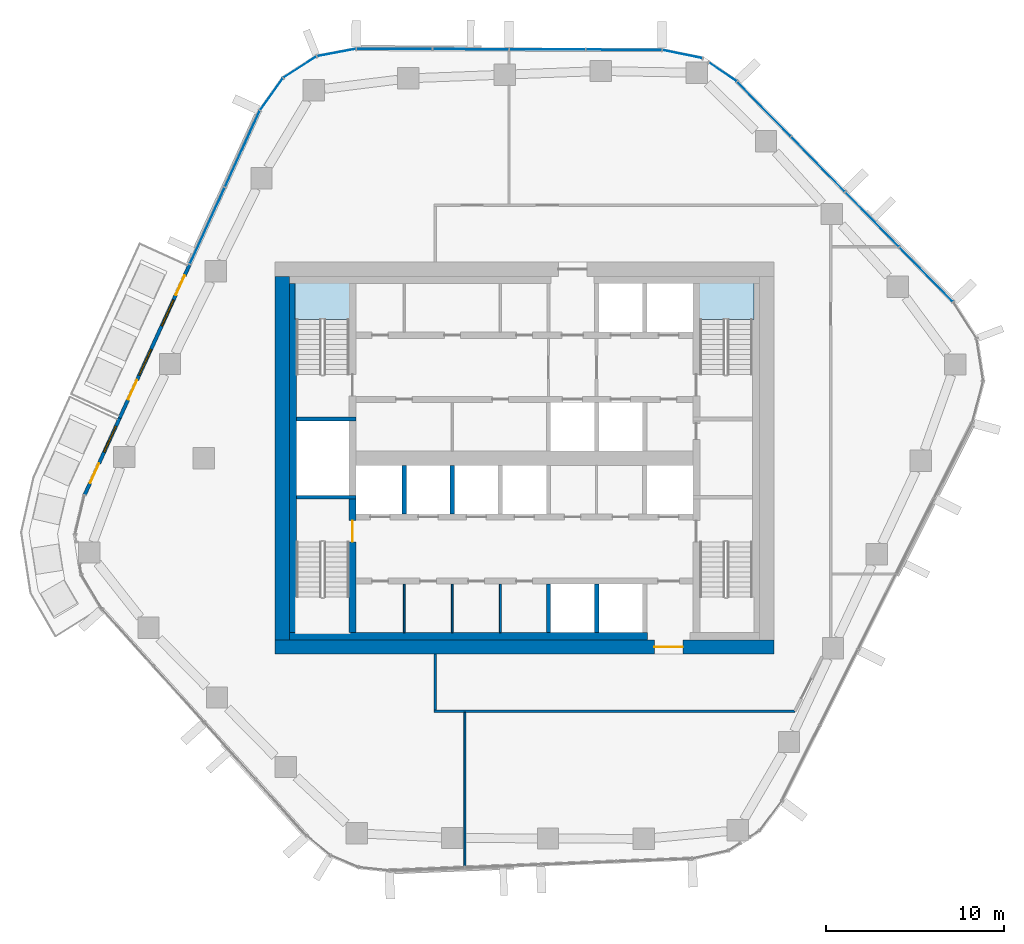
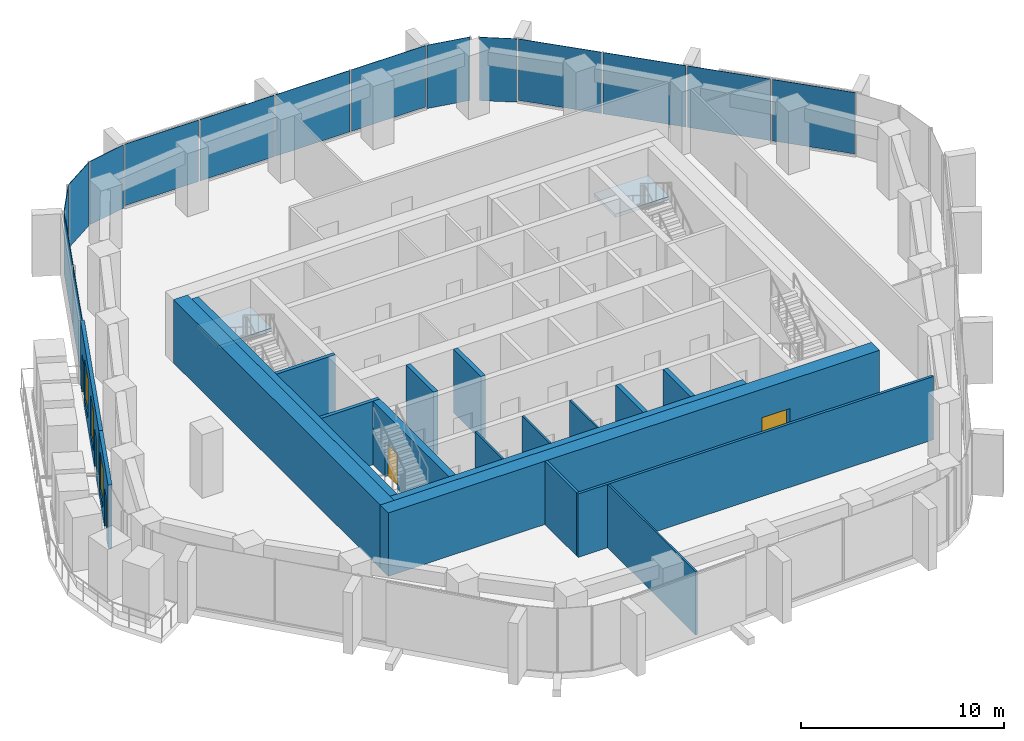
# One storey, part 11 of 18: 19 walls, 15 plates, 5 doors, 3 windows, 2 slabs, 8 openings, 8 elements without a shape of their own.
"""IFC4 building model written with IfcOpenShell, lengths in metres."""

from ifc_helpers import new_model, si_unit, direction, frame, frame_2d, origin, origin_2d, place, context, subcontext, project, spatial, polyline, rectangle, outline, extrude, material, layer, layer_set, type_object, element, fill, aggregate, save


model = new_model("IFC4")

# Units and contexts
model_context = context("Model", 3, precision=1e-05, world=origin(), true_north=direction((0.0, 1.0)))
body_context = subcontext(model_context, "Body", "Model", "MODEL_VIEW")
ifc_project = project(units=[si_unit("LENGTHUNIT", "METRE"), si_unit("AREAUNIT", "SQUARE_METRE"), si_unit("VOLUMEUNIT", "CUBIC_METRE"), si_unit("PLANEANGLEUNIT", "RADIAN"), si_unit("MASSUNIT", "GRAM", prefix="KILO")], contexts=[model_context])

# Site, building, storey
site_placement = place(None, origin())
site = spatial("IfcSite", under=ifc_project, at=site_placement, CompositionType="ELEMENT")
building_placement = place(site_placement, origin())
building = spatial("IfcBuilding", under=site, at=building_placement, Name="Dongbaek Canopy Tower", CompositionType="ELEMENT")
storey_placement = place(building_placement, frame((0.0, 0.0, 203.0)))
storey = spatial("IfcBuildingStorey", under=building, at=storey_placement, Name="L42", CompositionType="ELEMENT", Elevation=203.0)

# Curtain wall, plates
ifc_material_1 = material(Name="Aluminium 6063-T6 pale anodised", Category="aluminium")
ifc_layer_1 = layer(ifc_material_1, 0.199951171875)
ifc_layer_set_1 = layer_set([ifc_layer_1], Name="CW-1 unitised tower curtain wall")
curtain_wall_type = type_object("IfcCurtainWallType", Name="CW-1 unitised tower curtain wall", PredefinedType="NOTDEFINED", material=ifc_layer_set_1)
curtain_wall_1_placement = place(storey_placement, origin())
curtain_wall_1 = element("IfcCurtainWall", 1, at=curtain_wall_1_placement, inside=storey, type_object=curtain_wall_type, Name="CW-1 curtain wall F0.1", PredefinedType="NOTDEFINED")
ifc_material_2 = material(Name="Clear laminated glass", Category="glass")
ifc_layer_2 = layer(ifc_material_2, 0.028076171875)
ifc_layer_set_2 = layer_set([ifc_layer_2], Name="CW-1 glazed panel 28")
plate_type = type_object("IfcPlateType", Name="CW-1 glazed panel 28", PredefinedType="CURTAIN_PANEL", material=ifc_layer_set_2)
plate_1_placement = place(storey_placement, frame((22.554931640625, 10.31787109375, 0.1201171875), z_axis=(0.0, 0.0, 1.0), x_axis=(-0.700367537709, 0.713782398301, 0.0)))
plate_1 = element("IfcPlate", 2, at=plate_1_placement, type_object=plate_type, Name="CW-1 panel F0.1.1.1", PredefinedType="CURTAIN_PANEL", context=body_context, shape_type="SweptSolid", body=[
    extrude(rectangle(XDim=4.24267578125, YDim=0.028076171875, at=origin_2d()), origin(), (0.0, 0.0, 1.0), 3.699951171875),
])
plate_2_placement = place(storey_placement, frame((19.52099609375, 13.409912109375, 0.1201171875), z_axis=(0.0, 0.0, 1.0), x_axis=(-0.700367537709, 0.713782398301, 0.0)))
plate_2 = element("IfcPlate", 3, at=plate_2_placement, type_object=plate_type, Name="CW-1 panel F0.1.2.1", PredefinedType="CURTAIN_PANEL", context=body_context, shape_type="SweptSolid", body=[
    extrude(rectangle(XDim=4.2529296875, YDim=0.028076171875, at=origin_2d()), origin(), (0.0, 0.0, 1.0), 3.699951171875),
])
plate_3_placement = place(storey_placement, frame((16.4833984375, 16.505615234375, 0.1201171875), z_axis=(0.0, 0.0, 1.0), x_axis=(-0.700367537709, 0.713782398301, 0.0)))
plate_3 = element("IfcPlate", 4, at=plate_3_placement, type_object=plate_type, Name="CW-1 panel F0.1.3.1", PredefinedType="CURTAIN_PANEL", context=body_context, shape_type="SweptSolid", body=[
    extrude(rectangle(XDim=4.2529296875, YDim=0.028076171875, at=origin_2d()), origin(), (0.0, 0.0, 1.0), 3.699951171875),
])
plate_4_placement = place(storey_placement, frame((13.449462890625, 19.59765625, 0.1201171875), z_axis=(0.0, 0.0, 1.0), x_axis=(-0.700367537709, 0.713782398301, 0.0)))
plate_4 = element("IfcPlate", 5, at=plate_4_placement, type_object=plate_type, Name="CW-1 panel F0.1.4.1", PredefinedType="CURTAIN_PANEL", context=body_context, shape_type="SweptSolid", body=[
    extrude(rectangle(XDim=4.2431640625, YDim=0.028076171875, at=origin_2d()), origin(), (0.0, 0.0, 1.0), 3.699951171875),
])
aggregate(curtain_wall_1, [plate_1, plate_2, plate_3, plate_4])

# Curtain wall, plate
curtain_wall_2_placement = place(storey_placement, origin())
curtain_wall_2 = element("IfcCurtainWall", 6, at=curtain_wall_2_placement, inside=storey, type_object=curtain_wall_type, Name="CW-1 curtain wall K1.1a", PredefinedType="NOTDEFINED")
plate_5_placement = place(storey_placement, frame((11.13671875, 21.68408203125, 0.0), z_axis=(0.0, 0.0, 1.0), x_axis=(-0.826979783957, 0.562231657706, 0.0)))
plate_5 = element("IfcPlate", 7, at=plate_5_placement, type_object=plate_type, Name="CW-1 panel K1.1a.1.1", PredefinedType="CURTAIN_PANEL", context=body_context, shape_type="SweptSolid", body=[
    extrude(rectangle(XDim=1.8447265625, YDim=0.028076171875, at=origin_2d()), origin(), (0.0, 0.0, 1.0), 3.820068359375),
])
aggregate(curtain_wall_2, [plate_5])

curtain_wall_3_placement = place(storey_placement, origin())
curtain_wall_3 = element("IfcCurtainWall", 8, at=curtain_wall_3_placement, inside=storey, type_object=curtain_wall_type, Name="CW-1 curtain wall K1.1b", PredefinedType="NOTDEFINED")
plate_6_placement = place(storey_placement, frame((8.8681640625, 22.683837890625, 0.0), z_axis=(0.0, 0.0, 1.0), x_axis=(-0.979771954396, 0.200117259075, 0.0)))
plate_6 = element("IfcPlate", 9, at=plate_6_placement, type_object=plate_type, Name="CW-1 panel K1.1b.1.1", PredefinedType="CURTAIN_PANEL", context=body_context, shape_type="SweptSolid", body=[
    extrude(rectangle(XDim=2.244140625, YDim=0.028076171875, at=origin_2d()), origin(), (0.0, 0.0, 1.0), 3.820068359375),
])
aggregate(curtain_wall_3, [plate_6])

# Curtain wall, plates
curtain_wall_4_placement = place(storey_placement, origin())
curtain_wall_4 = element("IfcCurtainWall", 10, at=curtain_wall_4_placement, inside=storey, type_object=curtain_wall_type, Name="CW-1 curtain wall F1.1", PredefinedType="NOTDEFINED")
plate_7_placement = place(storey_placement, frame((5.5830078125, 22.9248046875, 0.1201171875), z_axis=(0.0, 0.0, 1.0), x_axis=(-0.999993245538, 0.003675442583, 0.0)))
plate_7 = element("IfcPlate", 11, at=plate_7_placement, type_object=plate_type, Name="CW-1 panel F1.1.1.1", PredefinedType="CURTAIN_PANEL", context=body_context, shape_type="SweptSolid", body=[
    extrude(rectangle(XDim=4.205322265625, YDim=0.028076171875, at=origin_2d()), origin(), (0.0, 0.0, 1.0), 3.699951171875),
])
plate_8_placement = place(storey_placement, frame((1.288818359375, 22.940673828125, 0.1201171875), z_axis=(0.0, 0.0, 1.0), x_axis=(-0.999993245538, 0.003675442583, 0.0)))
plate_8 = element("IfcPlate", 12, at=plate_8_placement, type_object=plate_type, Name="CW-1 panel F1.1.2.1", PredefinedType="CURTAIN_PANEL", context=body_context, shape_type="SweptSolid", body=[
    extrude(rectangle(XDim=4.21533203125, YDim=0.028076171875, at=origin_2d()), origin(), (0.0, 0.0, 1.0), 3.699951171875),
])
plate_9_placement = place(storey_placement, frame((-3.010498046875, 22.956298828125, 0.1201171875), z_axis=(0.0, 0.0, 1.0), x_axis=(-0.999993245538, 0.003675442583, 0.0)))
plate_9 = element("IfcPlate", 13, at=plate_9_placement, type_object=plate_type, Name="CW-1 panel F1.1.3.1", PredefinedType="CURTAIN_PANEL", context=body_context, shape_type="SweptSolid", body=[
    extrude(rectangle(XDim=4.21533203125, YDim=0.028076171875, at=origin_2d()), origin(), (0.0, 0.0, 1.0), 3.699951171875),
])
plate_10_placement = place(storey_placement, frame((-7.304931640625, 22.97216796875, 0.1201171875), z_axis=(0.0, 0.0, 1.0), x_axis=(-0.999993245538, 0.003675442583, 0.0)))
plate_10 = element("IfcPlate", 14, at=plate_10_placement, type_object=plate_type, Name="CW-1 panel F1.1.4.1", PredefinedType="CURTAIN_PANEL", context=body_context, shape_type="SweptSolid", body=[
    extrude(rectangle(XDim=4.20556640625, YDim=0.028076171875, at=origin_2d()), origin(), (0.0, 0.0, 1.0), 3.699951171875),
])
aggregate(curtain_wall_4, [plate_7, plate_8, plate_9, plate_10])

curtain_wall_5_placement = place(storey_placement, origin())
curtain_wall_5 = element("IfcCurtainWall", 15, at=curtain_wall_5_placement, inside=storey, type_object=curtain_wall_type, Name="CW-1 curtain wall K2.1", PredefinedType="NOTDEFINED")
plate_11_placement = place(storey_placement, frame((-10.555419921875, 22.770263671875, 0.0), z_axis=(0.0, 0.0, 1.0), x_axis=(-0.982481231355, -0.186361557287, 0.0)))
plate_11 = element("IfcPlate", 16, at=plate_11_placement, type_object=plate_type, Name="CW-1 panel K2.1.1.1", PredefinedType="CURTAIN_PANEL", context=body_context, shape_type="SweptSolid", body=[
    extrude(rectangle(XDim=2.166748046875, YDim=0.028076171875, at=origin_2d()), origin(), (0.0, 0.0, 1.0), 3.820068359375),
])
plate_12_placement = place(storey_placement, frame((-12.6044921875, 21.956298828125, 0.0), z_axis=(0.0, 0.0, 1.0), x_axis=(-0.842050178225, -0.539399200363, 0.0)))
plate_12 = element("IfcPlate", 17, at=plate_12_placement, type_object=plate_type, Name="CW-1 panel K2.1.2.1", PredefinedType="CURTAIN_PANEL", context=body_context, shape_type="SweptSolid", body=[
    extrude(rectangle(XDim=2.156982421875, YDim=0.028076171875, at=origin_2d()), origin(), (0.0, 0.0, 1.0), 3.820068359375),
])
plate_13_placement = place(storey_placement, frame((-14.20068359375, 20.43505859375, 0.0), z_axis=(0.0, 0.0, 1.0), x_axis=(-0.580063743798, -0.814571085376, 0.0)))
plate_13 = element("IfcPlate", 18, at=plate_13_placement, type_object=plate_type, Name="CW-1 panel K2.1.3.1", PredefinedType="CURTAIN_PANEL", context=body_context, shape_type="SweptSolid", body=[
    extrude(rectangle(XDim=2.166748046875, YDim=0.028076171875, at=origin_2d()), origin(), (0.0, 0.0, 1.0), 3.820068359375),
])
aggregate(curtain_wall_5, [plate_11, plate_12, plate_13])

curtain_wall_6_placement = place(storey_placement, origin())
curtain_wall_6 = element("IfcCurtainWall", 19, at=curtain_wall_6_placement, inside=storey, type_object=curtain_wall_type, Name="CW-1 curtain wall F2.1", PredefinedType="NOTDEFINED")
plate_14_placement = place(storey_placement, frame((-15.8359375, 17.36279296875, 0.1201171875), z_axis=(0.0, 0.0, 1.0), x_axis=(-0.414755400449, -0.909932941374, 0.0)))
plate_14 = element("IfcPlate", 20, at=plate_14_placement, type_object=plate_type, Name="CW-1 panel F2.1.1.1", PredefinedType="CURTAIN_PANEL", context=body_context, shape_type="SweptSolid", body=[
    extrude(rectangle(XDim=4.654052734375, YDim=0.028076171875, at=origin_2d()), origin(), (0.0, 0.0, 1.0), 3.699951171875),
])
plate_15_placement = place(storey_placement, frame((-17.80322265625, 13.04736328125, 0.1201171875), z_axis=(0.0, 0.0, 1.0), x_axis=(-0.414755400449, -0.909932941374, 0.0)))
plate_15 = element("IfcPlate", 21, at=plate_15_placement, type_object=plate_type, Name="CW-1 panel F2.1.2.1", PredefinedType="CURTAIN_PANEL", context=body_context, shape_type="SweptSolid", body=[
    extrude(rectangle(XDim=4.66357421875, YDim=0.028076171875, at=origin_2d()), origin(), (0.0, 0.0, 1.0), 3.699951171875),
])
aggregate(curtain_wall_6, [plate_14, plate_15])

# Stair, slab
ifc_material_3 = material(Name="Concrete C40/50", Category="concrete")
stair_type = type_object("IfcStairType", Name="Core exit stair", PredefinedType="HALF_TURN_STAIR", material=ifc_material_3)
stair_1_placement = place(storey_placement, origin())
stair_1 = element("IfcStair", 22, at=stair_1_placement, inside=storey, type_object=stair_type, Name="L42 exit stair A", PredefinedType="HALF_TURN_STAIR")
ifc_material_4 = material(Name="Concrete C40/50", Category="concrete")
ifc_layer_3 = layer(ifc_material_4, 0.199951171875)
ifc_layer_set_3 = layer_set([ifc_layer_3], Name="Core stair landing 200")
slab_type = type_object("IfcSlabType", Name="Core stair landing 200", PredefinedType="LANDING", material=ifc_layer_set_3)
slab_1_placement = place(storey_placement, frame((0.0, 0.0, 1.89990234375)))
slab_1 = element("IfcSlab", 23, at=slab_1_placement, type_object=slab_type, Name="ST-A landing 1", PredefinedType="LANDING", context=body_context, shape_type="SweptSolid", body=[
    extrude(outline(polyline([(12.875, 7.780029296875), (12.875, 9.875), (9.77490234375, 9.875), (9.77490234375, 7.780029296875), (12.875, 7.780029296875)])), origin(), (0.0, 0.0, 1.0), 0.2001953125),
])
aggregate(stair_1, [slab_1])

stair_2_placement = place(storey_placement, origin())
stair_2 = element("IfcStair", 24, at=stair_2_placement, inside=storey, type_object=stair_type, Name="L42 exit stair C", PredefinedType="HALF_TURN_STAIR")
slab_2_placement = place(storey_placement, frame((0.0, 0.0, 1.89990234375)))
slab_2 = element("IfcSlab", 25, at=slab_2_placement, type_object=slab_type, Name="ST-C landing 1", PredefinedType="LANDING", context=body_context, shape_type="SweptSolid", body=[
    extrude(outline(polyline([(-9.77490234375, 7.780029296875), (-9.77490234375, 9.875), (-12.875, 9.875), (-12.875, 7.780029296875), (-9.77490234375, 7.780029296875)])), origin(), (0.0, 0.0, 1.0), 0.2001953125),
])
aggregate(stair_2, [slab_2])

# Wall, opening, door
ifc_material_5 = material(Name="Concrete C70/85", Category="concrete")
ifc_layer_4 = layer(ifc_material_5, 0.800048828125)
ifc_layer_set_4 = layer_set([ifc_layer_4], Name="Core outer wall 800 Concrete C70/85")
wall_type_1 = type_object("IfcWallType", Name="Core outer wall 800 Concrete C70/85", PredefinedType="SHEAR", material=ifc_layer_set_4)
wall_1_placement = place(storey_placement, frame((14.0, -10.60009765625, 0.0), z_axis=(0.0, 0.0, 1.0), x_axis=(-1.0, 0.0, 0.0)))
wall_1 = element("IfcWall", 26, at=wall_1_placement, inside=storey, type_object=wall_type_1, Name="Core wall", PredefinedType="SHEAR", context=body_context, shape_type="SweptSolid", body=[
    extrude(rectangle(XDim=28.0, YDim=0.800048828125, at=frame_2d((14.0, 0.0))), origin(), (0.0, 0.0, 1.0), 3.820068359375),
])
opening_1_placement = place(wall_1_placement, frame((5.10009765625, 0.0, 0.0)))
opening_1 = element("IfcOpeningElement", 27, at=opening_1_placement, cuts=wall_1, Name="Opening L42-D018", PredefinedType="OPENING", context=body_context, shape_type="SweptSolid", body=[
    extrude(rectangle(XDim=1.60009765625, YDim=2.10009765625, at=frame_2d((0.800048828125, 1.050048828125))), frame((0.0, 0.409912109375, 0.0), z_axis=(0.0, -1.0, 0.0), x_axis=(1.0, 0.0, 0.0)), (0.0, 0.0, 1.0), 0.820068359375),
])
ifc_material_6 = material(Name="Steel", Category="steel")
door_type_1 = type_object("IfcDoorType", Name="Core exit door 1600 x 2100", OperationType="DOUBLE_DOOR_SINGLE_SWING", PredefinedType="DOOR", material=ifc_material_6)
door_1_placement = place(opening_1_placement, origin())
door_1 = element("IfcDoor", 28, at=door_1_placement, inside=storey, type_object=door_type_1, Name="Core exit door", OperationType="DOUBLE_DOOR_SINGLE_SWING", OverallHeight=2.10009765625, OverallWidth=1.60009765625, PredefinedType="DOOR", context=body_context, shape_type="SweptSolid", body=[
    extrude(rectangle(XDim=1.60009765625, YDim=2.10009765625, at=frame_2d((0.800048828125, 1.050048828125))), frame((0.0, 0.02490234375, 0.0), z_axis=(0.0, -1.0, 0.0), x_axis=(1.0, 0.0, 0.0)), (0.0, 0.0, 1.0), 0.050048828125),
])
fill(opening_1, door_1)

# Walls
wall_2_placement = place(storey_placement, frame((-13.60009765625, -10.199951171875, 0.0), z_axis=(0.0, 0.0, 1.0), x_axis=(0.0, 1.0, 0.0)))
element("IfcWall", 29, at=wall_2_placement, inside=storey, type_object=wall_type_1, Name="Core wall", PredefinedType="SHEAR", context=body_context, shape_type="SweptSolid", body=[
    extrude(rectangle(XDim=20.39990234375, YDim=0.800048828125, at=frame_2d((10.199951171875, 0.0))), origin(), (0.0, 0.0, 1.0), 3.820068359375),
])
ifc_material_7 = material(Name="Concrete C60/75", Category="concrete")
ifc_layer_5 = layer(ifc_material_7, 0.39990234375)
ifc_layer_set_5 = layer_set([ifc_layer_5], Name="Core wall lining 400 Concrete C60/75")
wall_type_2 = type_object("IfcWallType", Name="Core wall lining 400 Concrete C60/75", PredefinedType="SHEAR", material=ifc_layer_set_5)
wall_3_placement = place(storey_placement, frame((6.89990234375, -10.0, 0.0), z_axis=(0.0, 0.0, 1.0), x_axis=(-1.0, 0.0, 0.0)))
element("IfcWall", 30, at=wall_3_placement, inside=storey, type_object=wall_type_2, Name="Core wall lining", PredefinedType="SHEAR", context=body_context, shape_type="SweptSolid", body=[
    extrude(rectangle(XDim=20.099853515625, YDim=0.39990234375, at=frame_2d((10.0498046875, 0.0))), origin(), (0.0, 0.0, 1.0), 3.820068359375),
])
wall_4_placement = place(storey_placement, frame((-13.0, -9.800048828125, 0.0), z_axis=(0.0, 0.0, 1.0), x_axis=(0.0, 1.0, 0.0)))
element("IfcWall", 31, at=wall_4_placement, inside=storey, type_object=wall_type_2, Name="Core wall lining", PredefinedType="SHEAR", context=body_context, shape_type="SweptSolid", body=[
    extrude(rectangle(XDim=19.60009765625, YDim=0.39990234375, at=frame_2d((9.800048828125, 0.0))), origin(), (0.0, 0.0, 1.0), 3.820068359375),
])
ifc_material_8 = material(Name="Gypsum board partition, steel stud, 2 x 15 mm fire board", Category="steel")
ifc_layer_6 = layer(ifc_material_8, 0.14990234375)
ifc_layer_set_6 = layer_set([ifc_layer_6], Name="Fire-rated partition 150 gypsum board")
wall_type_3 = type_object("IfcWallType", Name="Fire-rated partition 150 gypsum board", PredefinedType="PARTITIONING", material=ifc_layer_set_6)
wall_5_placement = place(storey_placement, frame((-5.074951171875, -14.199951171875, 0.0), z_axis=(0.0, 0.0, 1.0), x_axis=(1.0, 0.0, 0.0)))
element("IfcWall", 32, at=wall_5_placement, inside=storey, type_object=wall_type_3, Name="Corridor partition", PredefinedType="PARTITIONING", context=body_context, shape_type="SweptSolid", body=[
    extrude(rectangle(XDim=20.2548828125, YDim=0.14990234375, at=frame_2d((10.12744140625, 0.0))), origin(), (0.0, 0.0, 1.0), 3.820068359375),
])
wall_6_placement = place(storey_placement, frame((-5.0, -14.125, 0.0), z_axis=(0.0, 0.0, 1.0), x_axis=(0.0, 1.0, 0.0)))
element("IfcWall", 33, at=wall_6_placement, inside=storey, type_object=wall_type_3, Name="Corridor partition", PredefinedType="PARTITIONING", context=body_context, shape_type="SweptSolid", body=[
    extrude(rectangle(XDim=3.125, YDim=0.14990234375, at=frame_2d((1.5625, 0.0))), origin(), (0.0, 0.0, 1.0), 3.820068359375),
])
ifc_material_9 = material(Name="Concrete C40/50", Category="concrete")
ifc_layer_7 = layer(ifc_material_9, 0.25)
ifc_layer_set_7 = layer_set([ifc_layer_7], Name="Lift shaft wall 250 Concrete C40/50")
wall_type_4 = type_object("IfcWallType", Name="Lift shaft wall 250 Concrete C40/50", PredefinedType="SOLIDWALL", material=ifc_layer_set_7)
for number, where, z_axis, x_axis, name in (
    (34, (4.050048828125, -9.800048828125, 0.0), (0.0, 0.0, 1.0), (0.0, 1.0, 0.0), "Lift shaft wall"),
    (35, (1.35009765625, -9.800048828125, 0.0), (0.0, 0.0, 1.0), (0.0, 1.0, 0.0), "Lift shaft wall"),
    (36, (-4.050048828125, -3.125, 0.0), (0.0, 0.0, 1.0), (0.0, 1.0, 0.0), "Lift shaft wall"),
    (37, (-6.75, -3.125, 0.0), (0.0, 0.0, 1.0), (0.0, 1.0, 0.0), "Lift shaft wall"),
):
    element("IfcWall", number, at=place(storey_placement, frame(where, z_axis=z_axis, x_axis=x_axis)), inside=storey, type_object=wall_type_4, Name=name, PredefinedType="SOLIDWALL", context=body_context, shape_type="SweptSolid", body=[
        extrude(rectangle(XDim=2.72509765625, YDim=0.25, at=frame_2d((1.362548828125, 0.0))), origin(), (0.0, 0.0, 1.0), 3.820068359375),
    ])
ifc_material_10 = material(Name="Gypsum board partition, steel stud, 2 x 12.5 mm board", Category="steel")
ifc_layer_8 = layer(ifc_material_10, 0.10009765625)
ifc_layer_set_8 = layer_set([ifc_layer_8], Name="Partition 100 gypsum board")
wall_type_5 = type_object("IfcWallType", Name="Partition 100 gypsum board", PredefinedType="PARTITIONING", material=ifc_layer_set_8)
wall_7_placement = place(storey_placement, frame((-3.343994140625, -22.963623046875, 0.0), z_axis=(0.0, 0.0, 1.0), x_axis=(0.0, 1.0, 0.0)))
element("IfcWall", 38, at=wall_7_placement, inside=storey, type_object=wall_type_5, Name="Partition", PredefinedType="PARTITIONING", context=body_context, shape_type="SweptSolid", body=[
    extrude(rectangle(XDim=8.688720703125, YDim=0.10009765625, at=frame_2d((4.34423828125, 0.0))), origin(), (0.0, 0.0, 1.0), 3.820068359375),
])
for number, where, z_axis, x_axis, name in (
    (39, (-1.35009765625, -9.800048828125, 0.0), (0.0, 0.0, 1.0), (0.0, 1.0, 0.0), "Core partition"),
    (40, (-4.050048828125, -9.800048828125, 0.0), (0.0, 0.0, 1.0), (0.0, 1.0, 0.0), "Core partition"),
    (41, (-6.75, -9.800048828125, 0.0), (0.0, 0.0, 1.0), (0.0, 1.0, 0.0), "Core partition"),
):
    element("IfcWall", number, at=place(storey_placement, frame(where, z_axis=z_axis, x_axis=x_axis)), inside=storey, type_object=wall_type_5, Name=name, PredefinedType="PARTITIONING", context=body_context, shape_type="SweptSolid", body=[
        extrude(rectangle(XDim=2.72509765625, YDim=0.10009765625, at=frame_2d((1.362548828125, 0.0))), origin(), (0.0, 0.0, 1.0), 3.820068359375),
    ])
ifc_material_11 = material(Name="Concrete C60/75", Category="concrete")
ifc_layer_9 = layer(ifc_material_11, 0.199951171875)
ifc_layer_set_9 = layer_set([ifc_layer_9], Name="Riser wall 200 Concrete C60/75")
wall_type_6 = type_object("IfcWallType", Name="Riser wall 200 Concrete C60/75", PredefinedType="SHEAR", material=ifc_layer_set_9)
for number, where, z_axis, x_axis, name in (
    (42, (-9.449951171875, 2.199951171875, 0.0), (0.0, 0.0, 1.0), (-1.0, 0.0, 0.0), "Riser wall"),
    (43, (-9.449951171875, -2.199951171875, 0.0), (0.0, 0.0, 1.0), (-1.0, 0.0, 0.0), "Riser wall"),
):
    element("IfcWall", number, at=place(storey_placement, frame(where, z_axis=z_axis, x_axis=x_axis)), inside=storey, type_object=wall_type_6, Name=name, PredefinedType="SHEAR", context=body_context, shape_type="SweptSolid", body=[
        extrude(rectangle(XDim=3.35009765625, YDim=0.199951171875, at=frame_2d((1.675048828125, 0.0))), origin(), (0.0, 0.0, 1.0), 3.820068359375),
    ])

# Wall, opening, door
ifc_material_12 = material(Name="Concrete C60/75", Category="concrete")
ifc_layer_10 = layer(ifc_material_12, 0.39990234375)
ifc_layer_set_10 = layer_set([ifc_layer_10], Name="Stair wall 400 Concrete C60/75")
wall_type_7 = type_object("IfcWallType", Name="Stair wall 400 Concrete C60/75", PredefinedType="SHEAR", material=ifc_layer_set_10)
wall_8_placement = place(storey_placement, frame((-9.64990234375, -9.800048828125, 0.0), z_axis=(0.0, 0.0, 1.0), x_axis=(0.0, 1.0, 0.0)))
wall_8 = element("IfcWall", 44, at=wall_8_placement, inside=storey, type_object=wall_type_7, Name="Stair wall", PredefinedType="SHEAR", context=body_context, shape_type="SweptSolid", body=[
    extrude(rectangle(XDim=7.5, YDim=0.39990234375, at=frame_2d((3.75, 0.0))), origin(), (0.0, 0.0, 1.0), 3.820068359375),
])
opening_2_placement = place(wall_8_placement, frame((5.10009765625, 0.0, 0.0)))
opening_2 = element("IfcOpeningElement", 45, at=opening_2_placement, cuts=wall_8, Name="Opening L42-D034", PredefinedType="OPENING", context=body_context, shape_type="SweptSolid", body=[
    extrude(rectangle(XDim=1.199951171875, YDim=2.10009765625, at=frame_2d((0.60009765625, 1.050048828125))), frame((0.0, 0.2099609375, 0.0), z_axis=(0.0, -1.0, 0.0), x_axis=(1.0, 0.0, 0.0)), (0.0, 0.0, 1.0), 0.419921875),
])
ifc_material_13 = material(Name="Steel", Category="steel")
door_type_2 = type_object("IfcDoorType", Name="Stair door 1200 x 2100", OperationType="SINGLE_SWING_LEFT", PredefinedType="DOOR", material=ifc_material_13)
door_2_placement = place(opening_2_placement, origin())
door_2 = element("IfcDoor", 46, at=door_2_placement, inside=storey, type_object=door_type_2, Name="Stair D door", OperationType="SINGLE_SWING_LEFT", OverallHeight=2.10009765625, OverallWidth=1.199951171875, PredefinedType="DOOR", context=body_context, shape_type="SweptSolid", body=[
    extrude(rectangle(XDim=1.199951171875, YDim=2.10009765625, at=frame_2d((0.60009765625, 1.050048828125))), frame((0.0, 0.02490234375, 0.0), z_axis=(0.0, -1.0, 0.0), x_axis=(1.0, 0.0, 0.0)), (0.0, 0.0, 1.0), 0.050048828125),
])
fill(opening_2, door_2)

# Wall, openings, doors, windows
ifc_material_14 = material(Name="Aluminium window wall", Category="aluminium")
ifc_layer_11 = layer(ifc_material_14, 0.199951171875)
ifc_layer_set_11 = layer_set([ifc_layer_11], Name="Window wall 200")
wall_type_8 = type_object("IfcWallType", Name="Window wall 200", PredefinedType="SOLIDWALL", material=ifc_layer_set_11)
wall_9_placement = place(storey_placement, frame((-18.78759765625, 10.88720703125, 0.0), z_axis=(0.0, 0.0, 1.0), x_axis=(-0.414763575381, -0.909929215124, 0.0)))
wall_9 = element("IfcWall", 47, at=wall_9_placement, inside=storey, type_object=wall_type_8, Name="Window wall L42 1", PredefinedType="SOLIDWALL", context=body_context, shape_type="SweptSolid", body=[
    extrude(rectangle(XDim=9.4951171875, YDim=0.199951171875, at=frame_2d((4.74755859375, 0.0))), origin(), (0.0, 0.0, 1.0), 3.820068359375),
])
opening_3_placement = place(wall_9_placement, frame((2.199951171875, 0.0, 0.60009765625)))
opening_3 = element("IfcOpeningElement", 48, at=opening_3_placement, cuts=wall_9, Name="Opening W1", PredefinedType="OPENING", context=body_context, shape_type="SweptSolid", body=[
    extrude(rectangle(XDim=1.60009765625, YDim=2.39990234375, at=frame_2d((0.800048828125, 1.199951171875))), frame((0.0, 0.10986328125, 0.0), z_axis=(0.0, -1.0, 0.0), x_axis=(1.0, 0.0, 0.0)), (0.0, 0.0, 1.0), 0.219970703125),
])
opening_4_placement = place(wall_9_placement, frame((0.699951171875, 0.0, 0.0)))
opening_4 = element("IfcOpeningElement", 49, at=opening_4_placement, cuts=wall_9, Name="Opening L42-B01", PredefinedType="OPENING", context=body_context, shape_type="SweptSolid", body=[
    extrude(rectangle(XDim=1.199951171875, YDim=2.39990234375, at=frame_2d((0.60009765625, 1.199951171875))), frame((0.0, 0.10986328125, 0.0), z_axis=(0.0, -1.0, 0.0), x_axis=(1.0, 0.0, 0.0)), (0.0, 0.0, 1.0), 0.219970703125),
])
opening_5_placement = place(wall_9_placement, frame((5.24755859375, 0.0, 0.60009765625)))
opening_5 = element("IfcOpeningElement", 50, at=opening_5_placement, cuts=wall_9, Name="Opening W1", PredefinedType="OPENING", context=body_context, shape_type="SweptSolid", body=[
    extrude(rectangle(XDim=1.60009765625, YDim=2.39990234375, at=frame_2d((0.800048828125, 1.199951171875))), frame((0.0, 0.10986328125, 0.0), z_axis=(0.0, -1.0, 0.0), x_axis=(1.0, 0.0, 0.0)), (0.0, 0.0, 1.0), 0.219970703125),
])
opening_6_placement = place(wall_9_placement, frame((7.1474609375, 0.0, 0.0)))
opening_6 = element("IfcOpeningElement", 51, at=opening_6_placement, cuts=wall_9, Name="Opening L42-B02", PredefinedType="OPENING", context=body_context, shape_type="SweptSolid", body=[
    extrude(rectangle(XDim=1.199951171875, YDim=2.39990234375, at=frame_2d((0.60009765625, 1.199951171875))), frame((0.0, 0.10986328125, 0.0), z_axis=(0.0, -1.0, 0.0), x_axis=(1.0, 0.0, 0.0)), (0.0, 0.0, 1.0), 0.219970703125),
])
ifc_material_15 = material(Name="Clear glazing in aluminium frame", Category="aluminium")
door_type_3 = type_object("IfcDoorType", Name="Balcony door BD1 1200 x 2400", OperationType="SLIDING_TO_LEFT", PredefinedType="DOOR", material=ifc_material_15)
door_3_placement = place(opening_4_placement, origin())
door_3 = element("IfcDoor", 52, at=door_3_placement, inside=storey, type_object=door_type_3, Name="Balcony door L42-B01", OperationType="SLIDING_TO_LEFT", OverallHeight=2.39990234375, OverallWidth=1.199951171875, PredefinedType="DOOR", context=body_context, shape_type="SweptSolid", body=[
    extrude(rectangle(XDim=1.199951171875, YDim=2.39990234375, at=frame_2d((0.60009765625, 1.199951171875))), frame((0.0, 0.02490234375, 0.0), z_axis=(0.0, -1.0, 0.0), x_axis=(1.0, 0.0, 0.0)), (0.0, 0.0, 1.0), 0.050048828125),
])
fill(opening_4, door_3)
door_4_placement = place(opening_6_placement, origin())
door_4 = element("IfcDoor", 53, at=door_4_placement, inside=storey, type_object=door_type_3, Name="Balcony door L42-B02", OperationType="SLIDING_TO_LEFT", OverallHeight=2.39990234375, OverallWidth=1.199951171875, PredefinedType="DOOR", context=body_context, shape_type="SweptSolid", body=[
    extrude(rectangle(XDim=1.199951171875, YDim=2.39990234375, at=frame_2d((0.60009765625, 1.199951171875))), frame((0.0, 0.02490234375, 0.0), z_axis=(0.0, -1.0, 0.0), x_axis=(1.0, 0.0, 0.0)), (0.0, 0.0, 1.0), 0.050048828125),
])
fill(opening_6, door_4)
ifc_material_16 = material(Name="Clear glazing in aluminium frame", Category="aluminium")
window_type = type_object("IfcWindowType", Name="Window W1 1600 x 2400", PartitioningType="SINGLE_PANEL", PredefinedType="WINDOW", material=ifc_material_16)
window_1_placement = place(opening_3_placement, origin())
window_1 = element("IfcWindow", 54, at=window_1_placement, inside=storey, type_object=window_type, Name="Window L42 1.1", OverallHeight=2.39990234375, OverallWidth=1.60009765625, PartitioningType="SINGLE_PANEL", PredefinedType="WINDOW", context=body_context, shape_type="SweptSolid", body=[
    extrude(rectangle(XDim=1.60009765625, YDim=2.39990234375, at=frame_2d((0.800048828125, 1.199951171875))), frame((0.0, 0.030029296875, 0.0), z_axis=(0.0, -1.0, 0.0), x_axis=(1.0, 0.0, 0.0)), (0.0, 0.0, 1.0), 0.06005859375),
])
fill(opening_3, window_1)
window_2_placement = place(opening_5_placement, origin())
window_2 = element("IfcWindow", 55, at=window_2_placement, inside=storey, type_object=window_type, Name="Window L42 1.2", OverallHeight=2.39990234375, OverallWidth=1.60009765625, PartitioningType="SINGLE_PANEL", PredefinedType="WINDOW", context=body_context, shape_type="SweptSolid", body=[
    extrude(rectangle(XDim=1.60009765625, YDim=2.39990234375, at=frame_2d((0.800048828125, 1.199951171875))), frame((0.0, 0.030029296875, 0.0), z_axis=(0.0, -1.0, 0.0), x_axis=(1.0, 0.0, 0.0)), (0.0, 0.0, 1.0), 0.06005859375),
])
fill(opening_5, window_2)

# Wall, openings, door, window
wall_10_placement = place(storey_placement, frame((-22.725830078125, 2.247314453125, 0.0), z_axis=(0.0, 0.0, 1.0), x_axis=(-0.41476943832, -0.909926542659, 0.0)))
wall_10 = element("IfcWall", 56, at=wall_10_placement, inside=storey, type_object=wall_type_8, Name="Window wall L42 2", PredefinedType="SOLIDWALL", context=body_context, shape_type="SweptSolid", body=[
    extrude(rectangle(XDim=4.73779296875, YDim=0.199951171875, at=frame_2d((2.368896484375, 0.0))), origin(), (0.0, 0.0, 1.0), 3.820068359375),
])
opening_7_placement = place(wall_10_placement, frame((0.5, 0.0, 0.60009765625)))
opening_7 = element("IfcOpeningElement", 57, at=opening_7_placement, cuts=wall_10, Name="Opening W1", PredefinedType="OPENING", context=body_context, shape_type="SweptSolid", body=[
    extrude(rectangle(XDim=1.60009765625, YDim=2.39990234375, at=frame_2d((0.800048828125, 1.199951171875))), frame((0.0, 0.10986328125, 0.0), z_axis=(0.0, -1.0, 0.0), x_axis=(1.0, 0.0, 0.0)), (0.0, 0.0, 1.0), 0.219970703125),
])
opening_8_placement = place(wall_10_placement, frame((2.800048828125, 0.0, 0.0)))
opening_8 = element("IfcOpeningElement", 58, at=opening_8_placement, cuts=wall_10, Name="Opening L42-B03", PredefinedType="OPENING", context=body_context, shape_type="SweptSolid", body=[
    extrude(rectangle(XDim=1.199951171875, YDim=2.39990234375, at=frame_2d((0.60009765625, 1.199951171875))), frame((0.0, 0.10986328125, 0.0), z_axis=(0.0, -1.0, 0.0), x_axis=(1.0, 0.0, 0.0)), (0.0, 0.0, 1.0), 0.219970703125),
])
door_5_placement = place(opening_8_placement, origin())
door_5 = element("IfcDoor", 59, at=door_5_placement, inside=storey, type_object=door_type_3, Name="Balcony door L42-B03", OperationType="SLIDING_TO_LEFT", OverallHeight=2.39990234375, OverallWidth=1.199951171875, PredefinedType="DOOR", context=body_context, shape_type="SweptSolid", body=[
    extrude(rectangle(XDim=1.199951171875, YDim=2.39990234375, at=frame_2d((0.60009765625, 1.199951171875))), frame((0.0, 0.02490234375, 0.0), z_axis=(0.0, -1.0, 0.0), x_axis=(1.0, 0.0, 0.0)), (0.0, 0.0, 1.0), 0.050048828125),
])
fill(opening_8, door_5)
window_3_placement = place(opening_7_placement, origin())
window_3 = element("IfcWindow", 60, at=window_3_placement, inside=storey, type_object=window_type, Name="Window L42 2.1", OverallHeight=2.39990234375, OverallWidth=1.60009765625, PartitioningType="SINGLE_PANEL", PredefinedType="WINDOW", context=body_context, shape_type="SweptSolid", body=[
    extrude(rectangle(XDim=1.60009765625, YDim=2.39990234375, at=frame_2d((0.800048828125, 1.199951171875))), frame((0.0, 0.030029296875, 0.0), z_axis=(0.0, -1.0, 0.0), x_axis=(1.0, 0.0, 0.0)), (0.0, 0.0, 1.0), 0.06005859375),
])
fill(opening_7, window_3)

save(model, "model.ifc")
